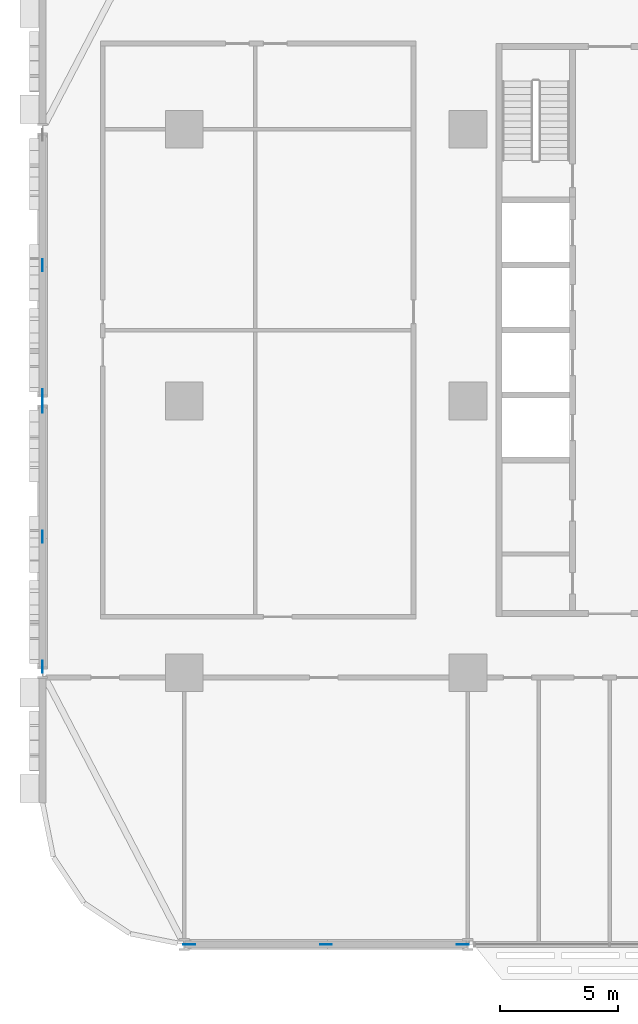
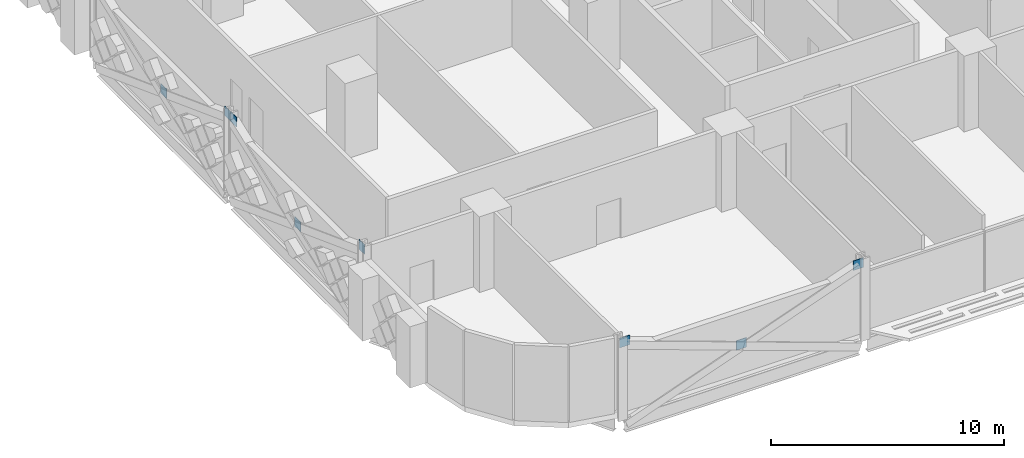
# One storey, part 16 of 27: 8 discrete accessories.
"""IFC4 building model written with IfcOpenShell, lengths in metres."""

from ifc_helpers import new_model, si_unit, direction, frame, origin, origin_2d, place, context, subcontext, project, spatial, rectangle, extrude, material, layer, layer_set, type_object, element, save


model = new_model("IFC4")

# Units and contexts
model_context = context("Model", 3, precision=1e-05, world=origin(), true_north=direction((0.0, 1.0)))
body_context = subcontext(model_context, "Body", "Model", "MODEL_VIEW")
ifc_project = project(units=[si_unit("LENGTHUNIT", "METRE"), si_unit("AREAUNIT", "SQUARE_METRE"), si_unit("VOLUMEUNIT", "CUBIC_METRE"), si_unit("PLANEANGLEUNIT", "RADIAN"), si_unit("MASSUNIT", "GRAM", prefix="KILO")], contexts=[model_context])

# Site, building, storey
site_placement = place(None, origin())
site = spatial("IfcSite", under=ifc_project, at=site_placement, CompositionType="ELEMENT")
building_placement = place(site_placement, origin())
building = spatial("IfcBuilding", under=site, at=building_placement, Name="Mahtab Terrace Research Tower", CompositionType="ELEMENT")
storey_placement = place(building_placement, frame((0.0, 0.0, 28.699951171875)))
storey = spatial("IfcBuildingStorey", under=building, at=storey_placement, Name="L06", CompositionType="ELEMENT", Elevation=28.699951171875)

# Discrete accessories
ifc_material = material(Name="Steel ASTM A992 Gr 50", Category="steel")
ifc_layer = layer(ifc_material, 0.030029296875)
ifc_layer_set = layer_set([ifc_layer], Name="Gusset plate 500x500x30")
discrete_accessory_type = type_object("IfcDiscreteAccessoryType", Name="Gusset plate 500x500x30", PredefinedType="USERDEFINED", material=ifc_layer_set)
for number, where, z_axis, x_axis, name in (
    (1, (-41.7841796875, -23.0, 3.33154296875), (0.0, 0.0, 1.0), (1.0, 0.0, 0.0), "Gusset plate"),
    (2, (-36.0, -23.0, 1.181640625), (0.0, 0.0, 1.0), (1.0, 0.0, 0.0), "Gusset plate"),
    (3, (-30.2158203125, -23.0, 3.33154296875), (0.0, 0.0, 1.0), (1.0, 0.0, 0.0), "Gusset plate"),
    (4, (-48.0, -11.251220703125, 3.33154296875), (0.0, 0.0, 1.0), (0.0, 1.0, 0.0), "Gusset plate"),
    (5, (-48.0, -5.75, 1.181640625), (0.0, 0.0, 1.0), (0.0, 1.0, 0.0), "Gusset plate"),
    (6, (-48.0, -0.248779296875, 3.33154296875), (0.0, 0.0, 1.0), (0.0, 1.0, 0.0), "Gusset plate"),
    (7, (-48.0, 0.248779296875, 3.33154296875), (0.0, 0.0, 1.0), (0.0, 1.0, 0.0), "Gusset plate"),
    (8, (-48.0, 5.75, 1.181640625), (0.0, 0.0, 1.0), (0.0, 1.0, 0.0), "Gusset plate"),
):
    element("IfcDiscreteAccessory", number, at=place(storey_placement, frame(where, z_axis=z_axis, x_axis=x_axis)), inside=storey, type_object=discrete_accessory_type, Name=name, ObjectType="GUSSET PLATE", PredefinedType="USERDEFINED", context=body_context, shape_type="SweptSolid", body=[
        extrude(rectangle(XDim=0.5, YDim=0.030029296875, at=origin_2d()), origin(), (0.0, 0.0, 1.0), 0.5),
    ])

save(model, "model.ifc")
